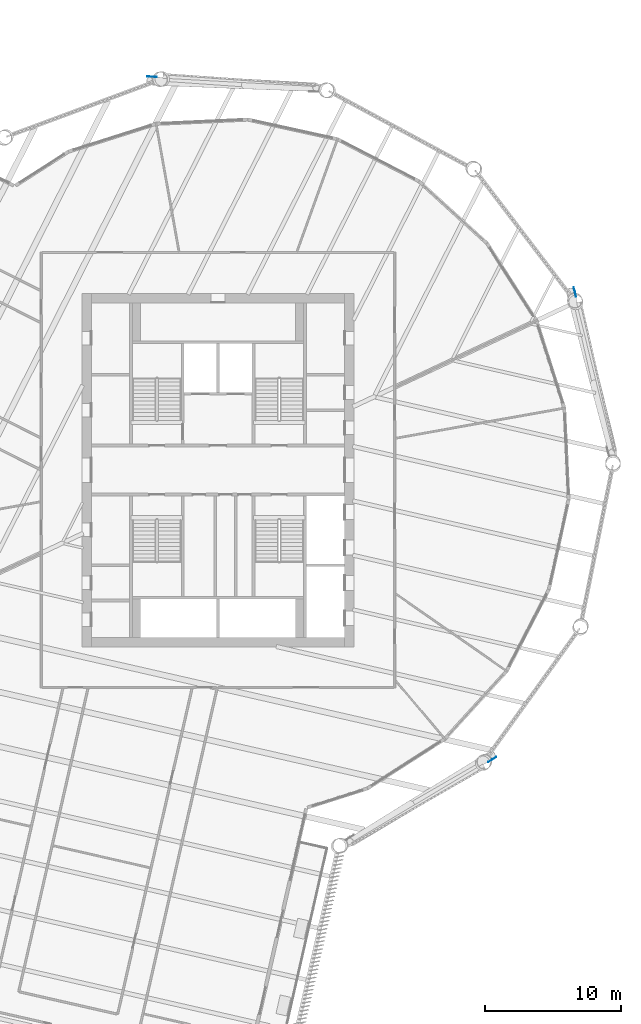
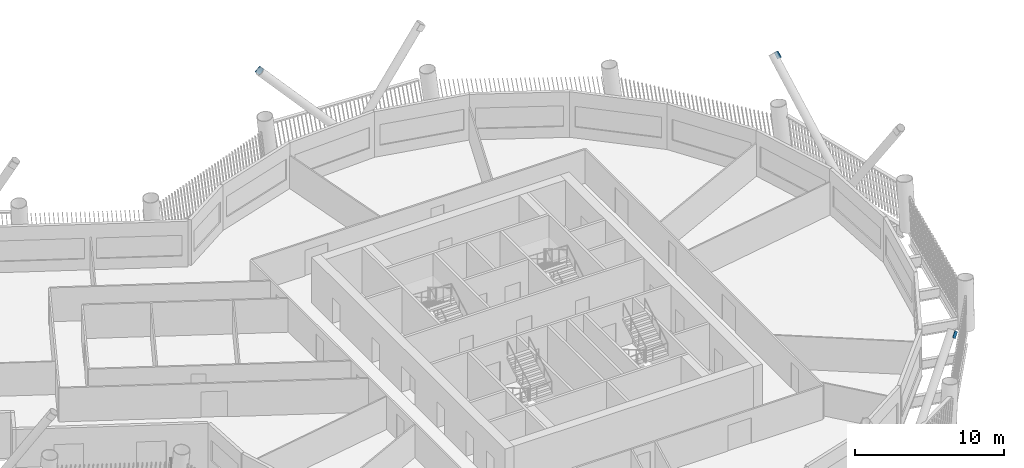
# One storey, part 9 of 21: 3 discrete accessories.
"""IFC4 building model written with IfcOpenShell, lengths in metres."""

from ifc_helpers import new_model, si_unit, direction, frame, origin, origin_2d, place, context, subcontext, project, spatial, rectangle, extrude, material, material_profile, profile_set, type_object, element, save


model = new_model("IFC4")

# Units and contexts
model_context = context("Model", 3, precision=1e-05, world=origin(), true_north=direction((0.0, 1.0)))
body_context = subcontext(model_context, "Body", "Model", "MODEL_VIEW")
ifc_project = project(units=[si_unit("LENGTHUNIT", "METRE"), si_unit("AREAUNIT", "SQUARE_METRE"), si_unit("VOLUMEUNIT", "CUBIC_METRE"), si_unit("PLANEANGLEUNIT", "RADIAN"), si_unit("MASSUNIT", "GRAM", prefix="KILO")], contexts=[model_context])

# Site, building, storey
site_placement = place(None, origin())
site = spatial("IfcSite", under=ifc_project, at=site_placement, CompositionType="ELEMENT")
building_placement = place(site_placement, origin())
building = spatial("IfcBuilding", under=site, at=building_placement, Name="Tarsis Ring Headquarters", CompositionType="ELEMENT")
storey_placement = place(building_placement, frame((0.0, 0.0, 171.0)))
storey = spatial("IfcBuildingStorey", under=building, at=storey_placement, Name="L39", CompositionType="ELEMENT", Elevation=171.0)

# Discrete accessories
ifc_material = material(Name="Structural steel S355", Category="steel")
ifc_material_profile = material_profile(ifc_material, rectangle(XDim=0.02490234375, YDim=0.5, at=origin_2d()), Name="PL 25x500")
ifc_profile_set = profile_set([ifc_material_profile], Name="Structural steel S355")
discrete_accessory_type = type_object("IfcDiscreteAccessoryType", Name="Gusset plate Exo brace 25", PredefinedType="BRACKET", material=ifc_profile_set)
for number, where, z_axis, x_axis, name in (
    (1, (20.313232421875, -21.19677734375, 7.800048828125), (-0.569315238238, -0.350573191299, -0.743625306893), (0.524341875878, -0.851507837428, 0.0), "Gusset plate GP5"),
    (2, (26.203125, 13.240966796875, 7.800048828125), (0.169408170118, -0.64687557754, -0.743540758183), (0.967376483747, 0.253343124423, 0.0), "Gusset plate GP5"),
    (3, (-5.01513671875, 28.927001953125, 7.800048828125), (0.667994710267, -0.026856512474, -0.743681245422), (0.040172223956, 0.999192770401, 0.0), "Gusset plate GP5"),
):
    element("IfcDiscreteAccessory", number, at=place(storey_placement, frame(where, z_axis=z_axis, x_axis=x_axis)), inside=storey, type_object=discrete_accessory_type, Name=name, PredefinedType="BRACKET", context=body_context, shape_type="SweptSolid", body=[
        extrude(rectangle(XDim=0.02490234375, YDim=0.5, at=origin_2d()), origin(), (0.0, 0.0, 1.0), 0.5),
    ])

save(model, "model.ifc")
